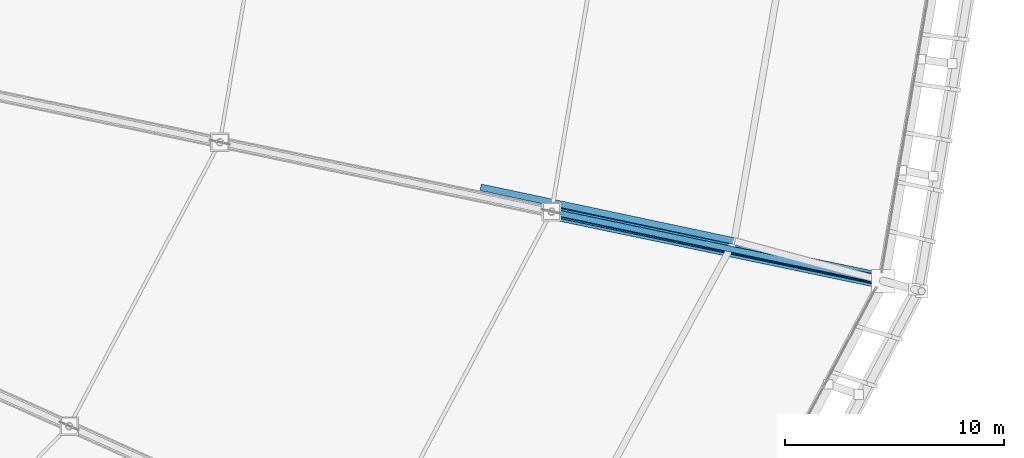
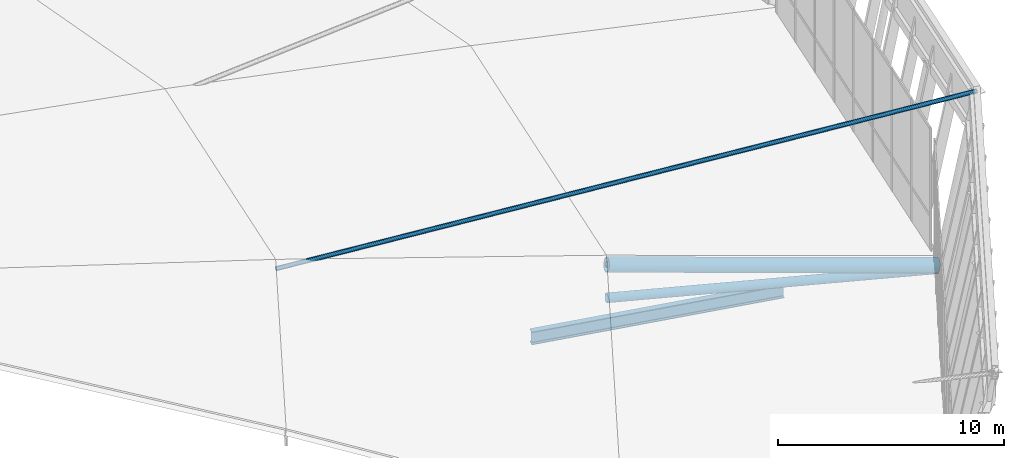
# One storey, part 47 of 115: 4 members, 1 beam.
"""IFC4 building model written with IfcOpenShell, lengths in metres."""

from ifc_helpers import new_model, si_unit, direction, frame, origin, origin_2d, place, context, subcontext, project, spatial, hollow_circle, i_section, extrude, material, material_profile, profile_set, type_object, element, save


model = new_model("IFC4")

# Units and contexts
model_context = context("Model", 3, precision=1e-05, world=origin(), true_north=direction((0.0, 1.0)))
body_context = subcontext(model_context, "Body", "Model", "MODEL_VIEW")
ifc_project = project(units=[si_unit("LENGTHUNIT", "METRE"), si_unit("AREAUNIT", "SQUARE_METRE"), si_unit("VOLUMEUNIT", "CUBIC_METRE"), si_unit("PLANEANGLEUNIT", "RADIAN"), si_unit("MASSUNIT", "GRAM", prefix="KILO")], contexts=[model_context])

# Site, building, storey
site_placement = place(None, origin())
site = spatial("IfcSite", under=ifc_project, at=site_placement, CompositionType="ELEMENT")
building_placement = place(site_placement, origin())
building = spatial("IfcBuilding", under=site, at=building_placement, Name="Zlatoyarsky Gate Stadium", CompositionType="ELEMENT")
storey_placement = place(building_placement, frame((0.0, 0.0, 31.800048828125)))
storey = spatial("IfcBuildingStorey", under=building, at=storey_placement, Name="RF", CompositionType="ELEMENT", Elevation=31.800048828125)

# Members
ifc_material = material(Name="Steel S355", Category="steel")
ifc_material_profile_1 = material_profile(ifc_material, hollow_circle(Radius=0.228515625, WallThickness=0.02490234375, at=origin_2d()), Name="CHS 457X25")
ifc_profile_set_1 = profile_set([ifc_material_profile_1], Name="Steel S355")
member_type_1 = type_object("IfcMemberType", Name="STEEL ARCH BOTTOM CHORD CHS 457X25", PredefinedType="CHORD", material=ifc_profile_set_1)
member_1_placement = place(storey_placement, frame((207.619140625, 59.804931640625, -0.449951171875), z_axis=(-0.972261655256, 0.203217530237, 0.115801162009), x_axis=(-0.2045939534, -0.978846930951, 0.0)))
element("IfcMember", 1, at=member_1_placement, inside=storey, type_object=member_type_1, Name="Radial truss R24 bottom chord 1", PredefinedType="CHORD", context=body_context, shape_type="SweptSolid", body=[
    extrude(hollow_circle(Radius=0.228515625, WallThickness=0.02490234375, at=origin_2d()), origin(), (0.0, 0.0, 1.0), 15.542236328125),
])
ifc_material_profile_2 = material_profile(ifc_material, hollow_circle(Radius=0.35546875, WallThickness=0.031982421875, at=origin_2d()), Name="CHS 711X32")
ifc_profile_set_2 = profile_set([ifc_material_profile_2], Name="Steel S355")
member_type_2 = type_object("IfcMemberType", Name="STEEL ARCH TOP CHORD CHS 711X32", PredefinedType="CHORD", material=ifc_profile_set_2)
member_2_placement = place(storey_placement, frame((207.619140625, 59.804931640625, -0.25), z_axis=(-0.955938348937, 0.199805709996, 0.215080336817), x_axis=(-0.2045939534, -0.978846930951, 0.0)))
element("IfcMember", 2, at=member_2_placement, inside=storey, type_object=member_type_2, Name="Radial truss R24 top chord 1", PredefinedType="CHORD", context=body_context, shape_type="SweptSolid", body=[
    extrude(hollow_circle(Radius=0.35546875, WallThickness=0.031982421875, at=origin_2d()), origin(), (0.0, 0.0, 1.0), 15.8076171875),
])
ifc_material_profile_3 = material_profile(ifc_material, hollow_circle(Radius=0.109619140625, WallThickness=0.012451171875, at=origin_2d()), Name="CHS 219.1X12.5")
ifc_profile_set_3 = profile_set([ifc_material_profile_3], Name="Steel S355")
member_type_3 = type_object("IfcMemberType", Name="STEEL CANOPY WIND BRACE CHS 219.1X12.5", PredefinedType="BRACE", material=ifc_profile_set_3)
member_3_placement = place(storey_placement, frame((209.373779296875, 59.334716796875, 8.849853515625), z_axis=(-0.975244889399, 0.20700257425, -0.077764644634), x_axis=(-0.207631334908, -0.978207150232, 0.0)))
element("IfcMember", 3, at=member_3_placement, inside=storey, type_object=member_type_3, Name="Crown fascia tie brace 23", PredefinedType="BRACE", context=body_context, shape_type="SweptSolid", body=[
    extrude(hollow_circle(Radius=0.109619140625, WallThickness=0.012451171875, at=origin_2d()), origin(), (0.0, 0.0, 1.0), 32.788818359375),
])

# Beam
ifc_material_profile_4 = material_profile(ifc_material, i_section(OverallWidth=0.300048828125, OverallDepth=0.699951171875, WebThickness=0.01708984375, FlangeThickness=0.031982421875, FilletRadius=0.027099609375, at=origin_2d()), Name="HEB 700")
ifc_profile_set_4 = profile_set([ifc_material_profile_4], Name="Steel S355")
beam_type = type_object("IfcBeamType", Name="STEEL ROOF RING GIRDER HEB 700", PredefinedType="BEAM", material=ifc_profile_set_4)
beam_placement = place(storey_placement, frame((189.279052734375, 64.07421875, -0.300048828125), z_axis=(0.978234125102, -0.207504208355, 0.0), x_axis=(0.207504208355, 0.978234125102, 0.0)))
element("IfcBeam", 4, at=beam_placement, inside=storey, type_object=beam_type, Name="RF roof tie girder BM-RF-RBC-23", PredefinedType="BEAM", context=body_context, shape_type="SweptSolid", body=[
    extrude(i_section(OverallWidth=0.300048828125, OverallDepth=0.699951171875, WebThickness=0.01708984375, FlangeThickness=0.031982421875, FilletRadius=0.027099609375, at=origin_2d()), origin(), (0.0, 0.0, 1.0), 11.76904296875),
])

# Member
ifc_material_profile_5 = material_profile(ifc_material, hollow_circle(Radius=0.136474609375, WallThickness=0.01611328125, at=origin_2d()), Name="CHS 273X16")
ifc_profile_set_5 = profile_set([ifc_material_profile_5], Name="Steel S355")
member_type_4 = type_object("IfcMemberType", Name="STEEL ROOF TRUSS DIAGONAL CHS 273X16", PredefinedType="BRACE", material=ifc_profile_set_5)
member_4_placement = place(storey_placement, frame((207.619140625, 59.804931640625, -0.449951171875), z_axis=(-0.953272377276, 0.199248481215, 0.227094291993), x_axis=(-0.2045939534, -0.978846930951, 0.0)))
element("IfcMember", 5, at=member_4_placement, inside=storey, type_object=member_type_4, Name="Radial truss R24 web diagonal 1", PredefinedType="BRACE", context=body_context, shape_type="SweptSolid", body=[
    extrude(hollow_circle(Radius=0.136474609375, WallThickness=0.01611328125, at=origin_2d()), origin(), (0.0, 0.0, 1.0), 15.851806640625),
])

save(model, "model.ifc")
